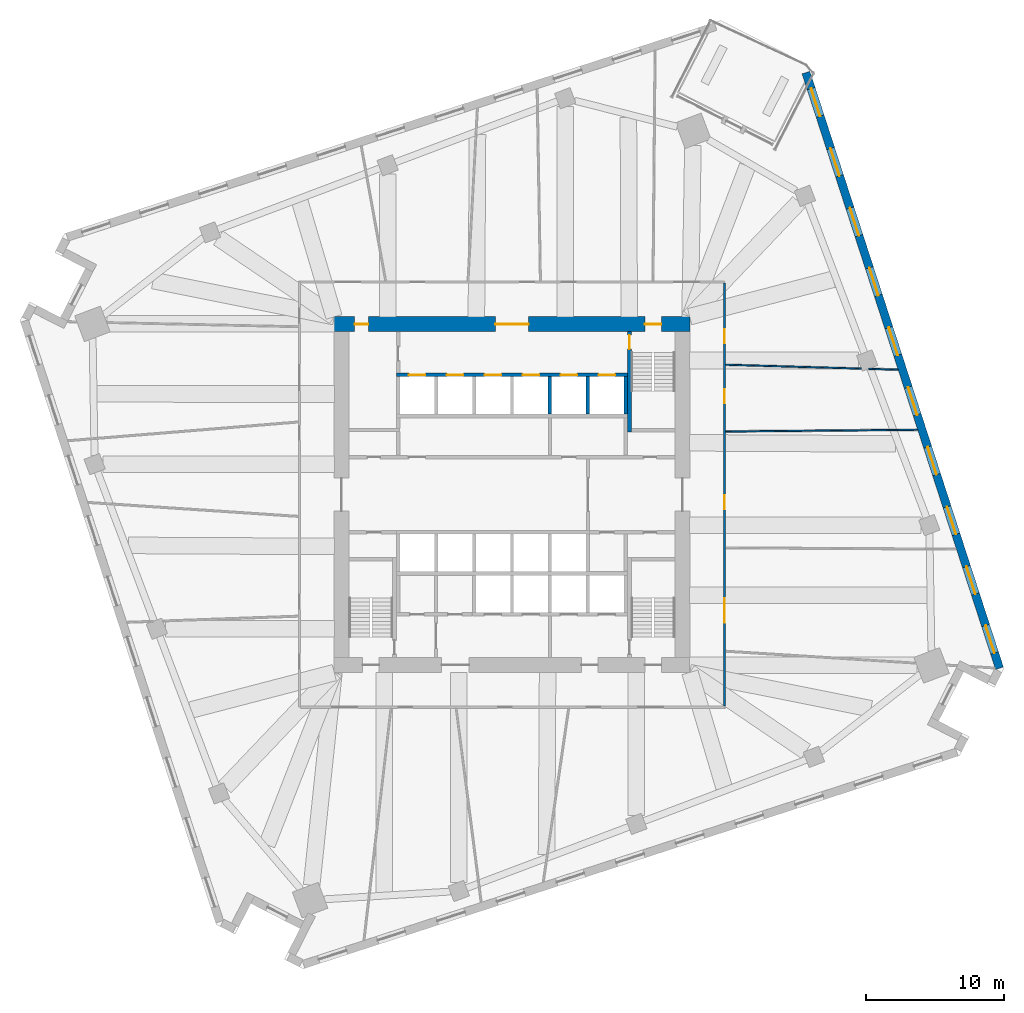
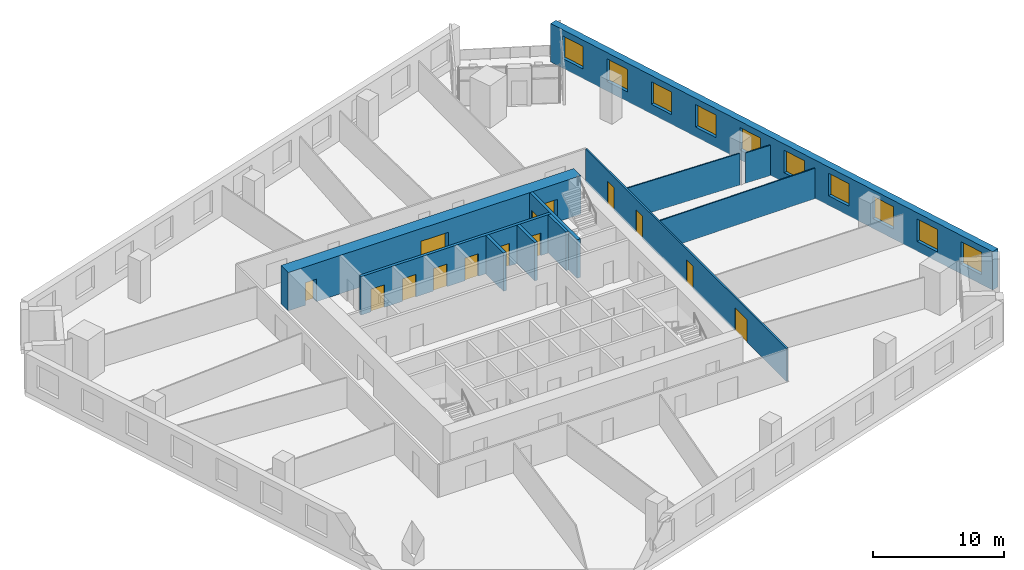
# One storey, part 9 of 12: 14 doors, 11 walls, 10 windows, 24 openings.
"""IFC4 building model written with IfcOpenShell, lengths in metres."""

from ifc_helpers import new_model, si_unit, direction, frame, frame_2d, origin, place, context, subcontext, project, spatial, rectangle, extrude, material, layer, layer_set, type_object, element, fill, save


model = new_model("IFC4")

# Units and contexts
model_context = context("Model", 3, precision=1e-05, world=origin(), true_north=direction((0.0, 1.0)))
body_context = subcontext(model_context, "Body", "Model", "MODEL_VIEW")
ifc_project = project(units=[si_unit("LENGTHUNIT", "METRE"), si_unit("AREAUNIT", "SQUARE_METRE"), si_unit("VOLUMEUNIT", "CUBIC_METRE"), si_unit("PLANEANGLEUNIT", "RADIAN"), si_unit("MASSUNIT", "GRAM", prefix="KILO")], contexts=[model_context])

# Site, building, storey
site_placement = place(None, origin())
site = spatial("IfcSite", under=ifc_project, at=site_placement, CompositionType="ELEMENT")
building_placement = place(site_placement, origin())
building = spatial("IfcBuilding", under=site, at=building_placement, Name="Dilmun Exchange Tower", CompositionType="ELEMENT")
storey_placement = place(building_placement, frame((0.0, 0.0, 94.10009765625)))
storey = spatial("IfcBuildingStorey", under=building, at=storey_placement, Name="L21", CompositionType="ELEMENT", Elevation=94.10009765625)

# Wall, openings, doors
ifc_material_1 = material(Name="Concrete C80/95", Category="concrete")
ifc_layer_1 = layer(ifc_material_1, 1.10009765625)
ifc_layer_set_1 = layer_set([ifc_layer_1], Name="Concrete C80/95")
wall_type_1 = type_object("IfcWallType", Name="Core shear wall 1100 Concrete C80/95", PredefinedType="SHEAR", material=ifc_layer_set_1)
wall_1_placement = place(storey_placement, frame((-12.89990234375, 12.35009765625, 0.0), z_axis=(0.0, 0.0, 1.0), x_axis=(1.0, 0.0, 0.0)))
wall_1 = element("IfcWall", 1, at=wall_1_placement, inside=storey, type_object=wall_type_1, Name="L21 core shear wall N", PredefinedType="SHEAR", context=body_context, shape_type="SweptSolid", body=[
    extrude(rectangle(XDim=25.7998046875, YDim=1.10009765625, at=frame_2d((12.89990234375, 0.0))), origin(), (0.0, 0.0, 1.0), 3.579833984375),
])
opening_1_placement = place(wall_1_placement, frame((11.699951171875, 0.0, 0.0)))
opening_1 = element("IfcOpeningElement", 2, at=opening_1_placement, cuts=wall_1, Name="Opening CD1", PredefinedType="OPENING", context=body_context, shape_type="SweptSolid", body=[
    extrude(rectangle(XDim=2.39990234375, YDim=2.39990234375, at=frame_2d((1.199951171875, 1.199951171875))), frame((0.0, 0.56005859375, 0.0), z_axis=(0.0, -1.0, 0.0), x_axis=(1.0, 0.0, 0.0)), (0.0, 0.0, 1.0), 1.1201171875),
])
opening_2_placement = place(wall_1_placement, frame((22.52490234375, 0.0, 0.0)))
opening_2 = element("IfcOpeningElement", 3, at=opening_2_placement, cuts=wall_1, Name="Opening CD3", PredefinedType="OPENING", context=body_context, shape_type="SweptSolid", body=[
    extrude(rectangle(XDim=1.199951171875, YDim=2.10009765625, at=frame_2d((0.60009765625, 1.050048828125))), frame((0.0, 0.56005859375, 0.0), z_axis=(0.0, -1.0, 0.0), x_axis=(1.0, 0.0, 0.0)), (0.0, 0.0, 1.0), 1.1201171875),
])
opening_3_placement = place(wall_1_placement, frame((1.5, 0.0, 0.0)))
opening_3 = element("IfcOpeningElement", 4, at=opening_3_placement, cuts=wall_1, Name="Opening CD4", PredefinedType="OPENING", context=body_context, shape_type="SweptSolid", body=[
    extrude(rectangle(XDim=1.0, YDim=2.10009765625, at=frame_2d((0.5, 1.050048828125))), frame((0.0, 0.56005859375, 0.0), z_axis=(0.0, -1.0, 0.0), x_axis=(1.0, 0.0, 0.0)), (0.0, 0.0, 1.0), 1.1201171875),
])
ifc_material_2 = material(Name="Fire-rated steel door set", Category="steel")
door_type_1 = type_object("IfcDoorType", Name="Core lobby door 2400x2400", OperationType="DOUBLE_DOOR_DOUBLE_SWING", PredefinedType="DOOR", material=ifc_material_2)
door_1_placement = place(opening_1_placement, origin())
door_1 = element("IfcDoor", 5, at=door_1_placement, inside=storey, type_object=door_type_1, Name="L21 door North lift lobby", OperationType="SINGLE_SWING_LEFT", OverallHeight=2.39990234375, OverallWidth=2.39990234375, PredefinedType="DOOR", context=body_context, shape_type="SweptSolid", body=[
    extrude(rectangle(XDim=2.39990234375, YDim=2.39990234375, at=frame_2d((1.199951171875, 1.199951171875))), frame((0.0, 0.02490234375, 0.0), z_axis=(0.0, -1.0, 0.0), x_axis=(1.0, 0.0, 0.0)), (0.0, 0.0, 1.0), 0.050048828125),
])
fill(opening_1, door_1)
door_type_2 = type_object("IfcDoorType", Name="Core room door 1000x2100", OperationType="SINGLE_SWING_LEFT", PredefinedType="DOOR", material=ifc_material_2)
door_2_placement = place(opening_3_placement, origin())
door_2 = element("IfcDoor", 6, at=door_2_placement, inside=storey, type_object=door_type_2, Name="L21 door North-west core rooms", OperationType="SINGLE_SWING_LEFT", OverallHeight=2.10009765625, OverallWidth=1.0, PredefinedType="DOOR", context=body_context, shape_type="SweptSolid", body=[
    extrude(rectangle(XDim=1.0, YDim=2.10009765625, at=frame_2d((0.5, 1.050048828125))), frame((0.0, 0.02490234375, 0.0), z_axis=(0.0, -1.0, 0.0), x_axis=(1.0, 0.0, 0.0)), (0.0, 0.0, 1.0), 0.050048828125),
])
fill(opening_3, door_2)
door_type_3 = type_object("IfcDoorType", Name="Stair exit door 1200x2100", OperationType="SINGLE_SWING_LEFT", PredefinedType="DOOR", material=ifc_material_2)
door_3_placement = place(opening_2_placement, origin())
door_3 = element("IfcDoor", 7, at=door_3_placement, inside=storey, type_object=door_type_3, Name="L21 door Stair ST1", OperationType="SINGLE_SWING_LEFT", OverallHeight=2.10009765625, OverallWidth=1.199951171875, PredefinedType="DOOR", context=body_context, shape_type="SweptSolid", body=[
    extrude(rectangle(XDim=1.199951171875, YDim=2.10009765625, at=frame_2d((0.60009765625, 1.050048828125))), frame((0.0, 0.02490234375, 0.0), z_axis=(0.0, -1.0, 0.0), x_axis=(1.0, 0.0, 0.0)), (0.0, 0.0, 1.0), 0.050048828125),
])
fill(opening_2, door_3)

ifc_material_3 = material(Name="Corridor wall 150")
ifc_layer_2 = layer(ifc_material_3, 0.14990234375)
ifc_layer_set_2 = layer_set([ifc_layer_2], Name="Corridor wall 150")
wall_type_2 = type_object("IfcWallType", Name="Corridor wall 150", PredefinedType="PARTITIONING", material=ifc_layer_set_2)
wall_2_placement = place(storey_placement, frame((15.39990234375, -15.324951171875, 0.0), z_axis=(0.0, 0.0, 1.0), x_axis=(0.0, 1.0, 0.0)))
wall_2 = element("IfcWall", 8, at=wall_2_placement, inside=storey, type_object=wall_type_2, Name="Corridor wall", PredefinedType="PARTITIONING", context=body_context, shape_type="SweptSolid", body=[
    extrude(rectangle(XDim=30.64990234375, YDim=0.14990234375, at=frame_2d((15.324951171875, 0.0))), origin(), (0.0, 0.0, 1.0), 3.079833984375),
])
opening_4_placement = place(wall_2_placement, frame((26.288330078125, 0.0, 0.0)))
opening_4 = element("IfcOpeningElement", 9, at=opening_4_placement, cuts=wall_2, Name="Opening TF20-D16", PredefinedType="OPENING", context=body_context, shape_type="SweptSolid", body=[
    extrude(rectangle(XDim=1.0, YDim=2.10009765625, at=frame_2d((0.5, 1.050048828125))), frame((0.0, 0.0849609375, 0.0), z_axis=(0.0, -1.0, 0.0), x_axis=(1.0, 0.0, 0.0)), (0.0, 0.0, 1.0), 0.169921875),
])
opening_5_placement = place(wall_2_placement, frame((21.94921875, 0.0, 0.0)))
opening_5 = element("IfcOpeningElement", 10, at=opening_5_placement, cuts=wall_2, Name="Opening TF20-D17", PredefinedType="OPENING", context=body_context, shape_type="SweptSolid", body=[
    extrude(rectangle(XDim=1.0, YDim=2.10009765625, at=frame_2d((0.5, 1.050048828125))), frame((0.0, 0.0849609375, 0.0), z_axis=(0.0, -1.0, 0.0), x_axis=(1.0, 0.0, 0.0)), (0.0, 0.0, 1.0), 0.169921875),
])
opening_6_placement = place(wall_2_placement, frame((14.269775390625, 0.0, 0.0)))
opening_6 = element("IfcOpeningElement", 11, at=opening_6_placement, cuts=wall_2, Name="Opening TF20-D18", PredefinedType="OPENING", context=body_context, shape_type="SweptSolid", body=[
    extrude(rectangle(XDim=1.0, YDim=2.10009765625, at=frame_2d((0.5, 1.050048828125))), frame((0.0, 0.0849609375, 0.0), z_axis=(0.0, -1.0, 0.0), x_axis=(1.0, 0.0, 0.0)), (0.0, 0.0, 1.0), 0.169921875),
])
opening_7_placement = place(wall_2_placement, frame((6.03759765625, 0.0, 0.0)))
opening_7 = element("IfcOpeningElement", 12, at=opening_7_placement, cuts=wall_2, Name="Opening TF20-D19", PredefinedType="OPENING", context=body_context, shape_type="SweptSolid", body=[
    extrude(rectangle(XDim=1.800048828125, YDim=2.10009765625, at=frame_2d((0.89990234375, 1.050048828125))), frame((0.0, 0.0849609375, 0.0), z_axis=(0.0, -1.0, 0.0), x_axis=(1.0, 0.0, 0.0)), (0.0, 0.0, 1.0), 0.169921875),
])
ifc_material_4 = material(Name="Fire door 1000 x 2100")
door_type_4 = type_object("IfcDoorType", Name="Fire door 1000 x 2100", OperationType="NOTDEFINED", PredefinedType="DOOR", material=ifc_material_4)
door_4_placement = place(opening_4_placement, frame((1.0, 0.0, 0.0), z_axis=(0.0, 0.0, 1.0), x_axis=(-1.0, 0.0, 0.0)))
door_4 = element("IfcDoor", 13, at=door_4_placement, inside=storey, type_object=door_type_4, Name="Door TF20-D16", OperationType="SINGLE_SWING_RIGHT", OverallHeight=2.10009765625, OverallWidth=1.0, PredefinedType="DOOR", context=body_context, shape_type="SweptSolid", body=[
    extrude(rectangle(XDim=1.0, YDim=2.10009765625, at=frame_2d((0.5, 1.050048828125))), frame((0.0, 0.02490234375, 0.0), z_axis=(0.0, -1.0, 0.0), x_axis=(1.0, 0.0, 0.0)), (0.0, 0.0, 1.0), 0.050048828125),
])
fill(opening_4, door_4)
door_5_placement = place(opening_5_placement, frame((1.0, 0.0, 0.0), z_axis=(0.0, 0.0, 1.0), x_axis=(-1.0, 0.0, 0.0)))
door_5 = element("IfcDoor", 14, at=door_5_placement, inside=storey, type_object=door_type_4, Name="Door TF20-D17", OperationType="SINGLE_SWING_RIGHT", OverallHeight=2.10009765625, OverallWidth=1.0, PredefinedType="DOOR", context=body_context, shape_type="SweptSolid", body=[
    extrude(rectangle(XDim=1.0, YDim=2.10009765625, at=frame_2d((0.5, 1.050048828125))), frame((0.0, 0.02490234375, 0.0), z_axis=(0.0, -1.0, 0.0), x_axis=(1.0, 0.0, 0.0)), (0.0, 0.0, 1.0), 0.050048828125),
])
fill(opening_5, door_5)
door_6_placement = place(opening_6_placement, frame((1.0, 0.0, 0.0), z_axis=(0.0, 0.0, 1.0), x_axis=(-1.0, 0.0, 0.0)))
door_6 = element("IfcDoor", 15, at=door_6_placement, inside=storey, type_object=door_type_4, Name="Door TF20-D18", OperationType="SINGLE_SWING_RIGHT", OverallHeight=2.10009765625, OverallWidth=1.0, PredefinedType="DOOR", context=body_context, shape_type="SweptSolid", body=[
    extrude(rectangle(XDim=1.0, YDim=2.10009765625, at=frame_2d((0.5, 1.050048828125))), frame((0.0, 0.02490234375, 0.0), z_axis=(0.0, -1.0, 0.0), x_axis=(1.0, 0.0, 0.0)), (0.0, 0.0, 1.0), 0.050048828125),
])
fill(opening_6, door_6)
ifc_material_5 = material(Name="Fire door pair 1800 x 2100")
door_type_5 = type_object("IfcDoorType", Name="Fire door pair 1800 x 2100", OperationType="NOTDEFINED", PredefinedType="DOOR", material=ifc_material_5)
door_7_placement = place(opening_7_placement, frame((1.800048828125, 0.0, 0.0), z_axis=(0.0, 0.0, 1.0), x_axis=(-1.0, 0.0, 0.0)))
door_7 = element("IfcDoor", 16, at=door_7_placement, inside=storey, type_object=door_type_5, Name="Door TF20-D19", OperationType="DOUBLE_DOOR_SINGLE_SWING", OverallHeight=2.10009765625, OverallWidth=1.800048828125, PredefinedType="DOOR", context=body_context, shape_type="SweptSolid", body=[
    extrude(rectangle(XDim=1.800048828125, YDim=2.10009765625, at=frame_2d((0.89990234375, 1.050048828125))), frame((0.0, 0.02490234375, 0.0), z_axis=(0.0, -1.0, 0.0), x_axis=(1.0, 0.0, 0.0)), (0.0, 0.0, 1.0), 0.050048828125),
])
fill(opening_7, door_7)

ifc_material_6 = material(Name="Concrete C40/50", Category="concrete")
ifc_layer_3 = layer(ifc_material_6, 0.25)
ifc_layer_set_3 = layer_set([ifc_layer_3], Name="Concrete C40/50")
wall_type_3 = type_object("IfcWallType", Name="Lift shaft wall 250", PredefinedType="SOLIDWALL", material=ifc_layer_set_3)
wall_3_placement = place(storey_placement, frame((-8.375, 8.675048828125, 0.0), z_axis=(0.0, 0.0, 1.0), x_axis=(1.0, 0.0, 0.0)))
wall_3 = element("IfcWall", 17, at=wall_3_placement, inside=storey, type_object=wall_type_3, Name="L21 lift shaft front wall N2", PredefinedType="SOLIDWALL", context=body_context, shape_type="SweptSolid", body=[
    extrude(rectangle(XDim=16.75, YDim=0.25, at=frame_2d((8.375, 0.0))), origin(), (0.0, 0.0, 1.0), 3.579833984375),
])
opening_8_placement = place(wall_3_placement, frame((0.89990234375, 0.0, 0.0)))
opening_8 = element("IfcOpeningElement", 18, at=opening_8_placement, cuts=wall_3, Name="Opening LD", PredefinedType="OPENING", context=body_context, shape_type="SweptSolid", body=[
    extrude(rectangle(XDim=1.199951171875, YDim=2.10009765625, at=frame_2d((0.60009765625, 1.050048828125))), frame((0.0, 0.135009765625, 0.0), z_axis=(0.0, -1.0, 0.0), x_axis=(1.0, 0.0, 0.0)), (0.0, 0.0, 1.0), 0.27001953125),
])
opening_9_placement = place(wall_3_placement, frame((3.64990234375, 0.0, 0.0)))
opening_9 = element("IfcOpeningElement", 19, at=opening_9_placement, cuts=wall_3, Name="Opening LD", PredefinedType="OPENING", context=body_context, shape_type="SweptSolid", body=[
    extrude(rectangle(XDim=1.199951171875, YDim=2.10009765625, at=frame_2d((0.60009765625, 1.050048828125))), frame((0.0, 0.135009765625, 0.0), z_axis=(0.0, -1.0, 0.0), x_axis=(1.0, 0.0, 0.0)), (0.0, 0.0, 1.0), 0.27001953125),
])
opening_10_placement = place(wall_3_placement, frame((6.39990234375, 0.0, 0.0)))
opening_10 = element("IfcOpeningElement", 20, at=opening_10_placement, cuts=wall_3, Name="Opening LD", PredefinedType="OPENING", context=body_context, shape_type="SweptSolid", body=[
    extrude(rectangle(XDim=1.199951171875, YDim=2.10009765625, at=frame_2d((0.60009765625, 1.050048828125))), frame((0.0, 0.135009765625, 0.0), z_axis=(0.0, -1.0, 0.0), x_axis=(1.0, 0.0, 0.0)), (0.0, 0.0, 1.0), 0.27001953125),
])
opening_11_placement = place(wall_3_placement, frame((9.14990234375, 0.0, 0.0)))
opening_11 = element("IfcOpeningElement", 21, at=opening_11_placement, cuts=wall_3, Name="Opening LD", PredefinedType="OPENING", context=body_context, shape_type="SweptSolid", body=[
    extrude(rectangle(XDim=1.199951171875, YDim=2.10009765625, at=frame_2d((0.60009765625, 1.050048828125))), frame((0.0, 0.135009765625, 0.0), z_axis=(0.0, -1.0, 0.0), x_axis=(1.0, 0.0, 0.0)), (0.0, 0.0, 1.0), 0.27001953125),
])
opening_12_placement = place(wall_3_placement, frame((11.89990234375, 0.0, 0.0)))
opening_12 = element("IfcOpeningElement", 22, at=opening_12_placement, cuts=wall_3, Name="Opening LD", PredefinedType="OPENING", context=body_context, shape_type="SweptSolid", body=[
    extrude(rectangle(XDim=1.199951171875, YDim=2.10009765625, at=frame_2d((0.60009765625, 1.050048828125))), frame((0.0, 0.135009765625, 0.0), z_axis=(0.0, -1.0, 0.0), x_axis=(1.0, 0.0, 0.0)), (0.0, 0.0, 1.0), 0.27001953125),
])
opening_13_placement = place(wall_3_placement, frame((14.64990234375, 0.0, 0.0)))
opening_13 = element("IfcOpeningElement", 23, at=opening_13_placement, cuts=wall_3, Name="Opening LD", PredefinedType="OPENING", context=body_context, shape_type="SweptSolid", body=[
    extrude(rectangle(XDim=1.199951171875, YDim=2.10009765625, at=frame_2d((0.60009765625, 1.050048828125))), frame((0.0, 0.135009765625, 0.0), z_axis=(0.0, -1.0, 0.0), x_axis=(1.0, 0.0, 0.0)), (0.0, 0.0, 1.0), 0.27001953125),
])
door_type_6 = type_object("IfcDoorType", Name="Lift landing door 1200x2100", OperationType="DOUBLE_DOOR_SLIDING", PredefinedType="DOOR", material=ifc_material_2)
door_8_placement = place(opening_8_placement, origin())
door_8 = element("IfcDoor", 24, at=door_8_placement, inside=storey, type_object=door_type_6, Name="L21 landing door LR1", OperationType="DOUBLE_DOOR_SLIDING", OverallHeight=2.10009765625, OverallWidth=1.199951171875, PredefinedType="DOOR", context=body_context, shape_type="SweptSolid", body=[
    extrude(rectangle(XDim=1.199951171875, YDim=2.10009765625, at=frame_2d((0.60009765625, 1.050048828125))), frame((0.0, 0.02490234375, 0.0), z_axis=(0.0, -1.0, 0.0), x_axis=(1.0, 0.0, 0.0)), (0.0, 0.0, 1.0), 0.050048828125),
])
fill(opening_8, door_8)
door_9_placement = place(opening_9_placement, origin())
door_9 = element("IfcDoor", 25, at=door_9_placement, inside=storey, type_object=door_type_6, Name="L21 landing door LR2", OperationType="DOUBLE_DOOR_SLIDING", OverallHeight=2.10009765625, OverallWidth=1.199951171875, PredefinedType="DOOR", context=body_context, shape_type="SweptSolid", body=[
    extrude(rectangle(XDim=1.199951171875, YDim=2.10009765625, at=frame_2d((0.60009765625, 1.050048828125))), frame((0.0, 0.02490234375, 0.0), z_axis=(0.0, -1.0, 0.0), x_axis=(1.0, 0.0, 0.0)), (0.0, 0.0, 1.0), 0.050048828125),
])
fill(opening_9, door_9)
door_10_placement = place(opening_10_placement, origin())
door_10 = element("IfcDoor", 26, at=door_10_placement, inside=storey, type_object=door_type_6, Name="L21 landing door LR3", OperationType="DOUBLE_DOOR_SLIDING", OverallHeight=2.10009765625, OverallWidth=1.199951171875, PredefinedType="DOOR", context=body_context, shape_type="SweptSolid", body=[
    extrude(rectangle(XDim=1.199951171875, YDim=2.10009765625, at=frame_2d((0.60009765625, 1.050048828125))), frame((0.0, 0.02490234375, 0.0), z_axis=(0.0, -1.0, 0.0), x_axis=(1.0, 0.0, 0.0)), (0.0, 0.0, 1.0), 0.050048828125),
])
fill(opening_10, door_10)
door_11_placement = place(opening_11_placement, origin())
door_11 = element("IfcDoor", 27, at=door_11_placement, inside=storey, type_object=door_type_6, Name="L21 landing door LR4", OperationType="DOUBLE_DOOR_SLIDING", OverallHeight=2.10009765625, OverallWidth=1.199951171875, PredefinedType="DOOR", context=body_context, shape_type="SweptSolid", body=[
    extrude(rectangle(XDim=1.199951171875, YDim=2.10009765625, at=frame_2d((0.60009765625, 1.050048828125))), frame((0.0, 0.02490234375, 0.0), z_axis=(0.0, -1.0, 0.0), x_axis=(1.0, 0.0, 0.0)), (0.0, 0.0, 1.0), 0.050048828125),
])
fill(opening_11, door_11)
door_12_placement = place(opening_12_placement, origin())
door_12 = element("IfcDoor", 28, at=door_12_placement, inside=storey, type_object=door_type_6, Name="L21 landing door LR5", OperationType="DOUBLE_DOOR_SLIDING", OverallHeight=2.10009765625, OverallWidth=1.199951171875, PredefinedType="DOOR", context=body_context, shape_type="SweptSolid", body=[
    extrude(rectangle(XDim=1.199951171875, YDim=2.10009765625, at=frame_2d((0.60009765625, 1.050048828125))), frame((0.0, 0.02490234375, 0.0), z_axis=(0.0, -1.0, 0.0), x_axis=(1.0, 0.0, 0.0)), (0.0, 0.0, 1.0), 0.050048828125),
])
fill(opening_12, door_12)
door_13_placement = place(opening_13_placement, origin())
door_13 = element("IfcDoor", 29, at=door_13_placement, inside=storey, type_object=door_type_6, Name="L21 landing door LR6", OperationType="DOUBLE_DOOR_SLIDING", OverallHeight=2.10009765625, OverallWidth=1.199951171875, PredefinedType="DOOR", context=body_context, shape_type="SweptSolid", body=[
    extrude(rectangle(XDim=1.199951171875, YDim=2.10009765625, at=frame_2d((0.60009765625, 1.050048828125))), frame((0.0, 0.02490234375, 0.0), z_axis=(0.0, -1.0, 0.0), x_axis=(1.0, 0.0, 0.0)), (0.0, 0.0, 1.0), 0.050048828125),
])
fill(opening_13, door_13)

# Walls
for number, where, z_axis, x_axis, name in (
    (30, (2.75, 5.85009765625, 0.0), (0.0, 0.0, 1.0), (0.0, 1.0, 0.0), "L21 lift shaft divider N24"),
    (31, (5.5, 5.85009765625, 0.0), (0.0, 0.0, 1.0), (0.0, 1.0, 0.0), "L21 lift shaft divider N25"),
    (32, (8.25, 5.85009765625, 0.0), (0.0, 0.0, 1.0), (0.0, 1.0, 0.0), "L21 lift shaft divider N26"),
):
    element("IfcWall", number, at=place(storey_placement, frame(where, z_axis=z_axis, x_axis=x_axis)), inside=storey, type_object=wall_type_3, Name=name, PredefinedType="SOLIDWALL", context=body_context, shape_type="SweptSolid", body=[
        extrude(rectangle(XDim=2.699951171875, YDim=0.25, at=frame_2d((1.35009765625, 0.0))), origin(), (0.0, 0.0, 1.0), 3.579833984375),
    ])
ifc_material_7 = material(Name="Partition 100")
ifc_layer_4 = layer(ifc_material_7, 0.10009765625)
ifc_layer_set_4 = layer_set([ifc_layer_4], Name="Partition 100")
wall_type_4 = type_object("IfcWallType", Name="Partition 100", PredefinedType="PARTITIONING", material=ifc_layer_set_4)
wall_4_placement = place(storey_placement, frame((15.475341796875, 4.57470703125, 0.0), z_axis=(0.0, 0.0, 1.0), x_axis=(0.99995993254, 0.008951721355, 0.0)))
element("IfcWall", 33, at=wall_4_placement, inside=storey, type_object=wall_type_4, Name="Partition", PredefinedType="PARTITIONING", context=body_context, shape_type="SweptSolid", body=[
    extrude(rectangle(XDim=13.9091796875, YDim=0.10009765625, at=frame_2d((6.95458984375, 0.0))), origin(), (0.0, 0.0, 1.0), 2.829833984375),
])
wall_5_placement = place(storey_placement, frame((15.476318359375, 9.411865234375, 0.0), z_axis=(0.0, 0.0, 1.0), x_axis=(0.999583865111, -0.028846084817, 0.0)))
element("IfcWall", 34, at=wall_5_placement, inside=storey, type_object=wall_type_4, Name="Partition", PredefinedType="PARTITIONING", context=body_context, shape_type="SweptSolid", body=[
    extrude(rectangle(XDim=9.834716796875, YDim=0.10009765625, at=frame_2d((4.91748046875, 0.0))), origin(), (0.0, 0.0, 1.0), 2.9599609375),
])
wall_6_placement = place(storey_placement, frame((25.82568359375, 9.11328125, 0.0), z_axis=(0.0, 0.0, 1.0), x_axis=(0.999585375356, -0.028793703742, 0.0)))
element("IfcWall", 35, at=wall_6_placement, inside=storey, type_object=wall_type_4, Name="Partition", PredefinedType="PARTITIONING", context=body_context, shape_type="SweptSolid", body=[
    extrude(rectangle(XDim=2.145263671875, YDim=0.10009765625, at=frame_2d((1.07275390625, 0.0))), origin(), (0.0, 0.0, 1.0), 2.829833984375),
])

# Wall, openings, windows
ifc_material_8 = material(Name="Precast concrete C50/60", Category="concrete")
ifc_layer_5 = layer(ifc_material_8, 0.60009765625)
ifc_layer_set_5 = layer_set([ifc_layer_5], Name="Precast concrete C50/60")
wall_type_5 = type_object("IfcWallType", Name="Precast stone-clad wall 600", PredefinedType="STANDARD", material=ifc_layer_set_5)
wall_7_placement = place(storey_placement, frame((35.3154296875, -12.578369140625, 0.0), z_axis=(0.0, 0.0, 1.0), x_axis=(-0.30901806374, 0.951056168837, 0.0)))
wall_7 = element("IfcWall", 36, at=wall_7_placement, inside=storey, type_object=wall_type_5, Name="Facade wall L21-21", PredefinedType="STANDARD", context=body_context, shape_type="SweptSolid", body=[
    extrude(rectangle(XDim=45.3759765625, YDim=0.60009765625, at=frame_2d((22.68798828125, 0.0))), origin(), (0.0, 0.0, 1.0), 3.579833984375),
])
opening_14_placement = place(wall_7_placement, frame((1.162841796875, 0.0, 0.89990234375)))
opening_14 = element("IfcOpeningElement", 37, at=opening_14_placement, cuts=wall_7, Name="Opening W210-210", PredefinedType="OPENING", context=body_context, shape_type="SweptSolid", body=[
    extrude(rectangle(XDim=2.10009765625, YDim=2.10009765625, at=frame_2d((1.050048828125, 1.050048828125))), frame((0.0, 0.31005859375, 0.0), z_axis=(0.0, -1.0, 0.0), x_axis=(1.0, 0.0, 0.0)), (0.0, 0.0, 1.0), 0.6201171875),
])
opening_15_placement = place(wall_7_placement, frame((5.650634765625, 0.0, 0.89990234375)))
opening_15 = element("IfcOpeningElement", 38, at=opening_15_placement, cuts=wall_7, Name="Opening W210-210", PredefinedType="OPENING", context=body_context, shape_type="SweptSolid", body=[
    extrude(rectangle(XDim=2.10009765625, YDim=2.10009765625, at=frame_2d((1.050048828125, 1.050048828125))), frame((0.0, 0.31005859375, 0.0), z_axis=(0.0, -1.0, 0.0), x_axis=(1.0, 0.0, 0.0)), (0.0, 0.0, 1.0), 0.6201171875),
])
opening_16_placement = place(wall_7_placement, frame((10.20068359375, 0.0, 0.89990234375)))
opening_16 = element("IfcOpeningElement", 39, at=opening_16_placement, cuts=wall_7, Name="Opening W210-210", PredefinedType="OPENING", context=body_context, shape_type="SweptSolid", body=[
    extrude(rectangle(XDim=2.10009765625, YDim=2.10009765625, at=frame_2d((1.050048828125, 1.050048828125))), frame((0.0, 0.31005859375, 0.0), z_axis=(0.0, -1.0, 0.0), x_axis=(1.0, 0.0, 0.0)), (0.0, 0.0, 1.0), 0.6201171875),
])
opening_17_placement = place(wall_7_placement, frame((14.750732421875, 0.0, 0.89990234375)))
opening_17 = element("IfcOpeningElement", 40, at=opening_17_placement, cuts=wall_7, Name="Opening W210-210", PredefinedType="OPENING", context=body_context, shape_type="SweptSolid", body=[
    extrude(rectangle(XDim=2.10009765625, YDim=2.10009765625, at=frame_2d((1.050048828125, 1.050048828125))), frame((0.0, 0.31005859375, 0.0), z_axis=(0.0, -1.0, 0.0), x_axis=(1.0, 0.0, 0.0)), (0.0, 0.0, 1.0), 0.6201171875),
])
opening_18_placement = place(wall_7_placement, frame((19.30078125, 0.0, 0.89990234375)))
opening_18 = element("IfcOpeningElement", 41, at=opening_18_placement, cuts=wall_7, Name="Opening W210-210", PredefinedType="OPENING", context=body_context, shape_type="SweptSolid", body=[
    extrude(rectangle(XDim=2.10009765625, YDim=2.10009765625, at=frame_2d((1.050048828125, 1.050048828125))), frame((0.0, 0.31005859375, 0.0), z_axis=(0.0, -1.0, 0.0), x_axis=(1.0, 0.0, 0.0)), (0.0, 0.0, 1.0), 0.6201171875),
])
opening_19_placement = place(wall_7_placement, frame((23.8505859375, 0.0, 0.89990234375)))
opening_19 = element("IfcOpeningElement", 42, at=opening_19_placement, cuts=wall_7, Name="Opening W210-210", PredefinedType="OPENING", context=body_context, shape_type="SweptSolid", body=[
    extrude(rectangle(XDim=2.10009765625, YDim=2.10009765625, at=frame_2d((1.050048828125, 1.050048828125))), frame((0.0, 0.31005859375, 0.0), z_axis=(0.0, -1.0, 0.0), x_axis=(1.0, 0.0, 0.0)), (0.0, 0.0, 1.0), 0.6201171875),
])
opening_20_placement = place(wall_7_placement, frame((28.400634765625, 0.0, 0.89990234375)))
opening_20 = element("IfcOpeningElement", 43, at=opening_20_placement, cuts=wall_7, Name="Opening W210-210", PredefinedType="OPENING", context=body_context, shape_type="SweptSolid", body=[
    extrude(rectangle(XDim=2.10009765625, YDim=2.10009765625, at=frame_2d((1.050048828125, 1.050048828125))), frame((0.0, 0.31005859375, 0.0), z_axis=(0.0, -1.0, 0.0), x_axis=(1.0, 0.0, 0.0)), (0.0, 0.0, 1.0), 0.6201171875),
])
opening_21_placement = place(wall_7_placement, frame((32.95068359375, 0.0, 0.89990234375)))
opening_21 = element("IfcOpeningElement", 44, at=opening_21_placement, cuts=wall_7, Name="Opening W210-210", PredefinedType="OPENING", context=body_context, shape_type="SweptSolid", body=[
    extrude(rectangle(XDim=2.10009765625, YDim=2.10009765625, at=frame_2d((1.050048828125, 1.050048828125))), frame((0.0, 0.31005859375, 0.0), z_axis=(0.0, -1.0, 0.0), x_axis=(1.0, 0.0, 0.0)), (0.0, 0.0, 1.0), 0.6201171875),
])
opening_22_placement = place(wall_7_placement, frame((37.500732421875, 0.0, 0.89990234375)))
opening_22 = element("IfcOpeningElement", 45, at=opening_22_placement, cuts=wall_7, Name="Opening W210-210", PredefinedType="OPENING", context=body_context, shape_type="SweptSolid", body=[
    extrude(rectangle(XDim=2.10009765625, YDim=2.10009765625, at=frame_2d((1.050048828125, 1.050048828125))), frame((0.0, 0.31005859375, 0.0), z_axis=(0.0, -1.0, 0.0), x_axis=(1.0, 0.0, 0.0)), (0.0, 0.0, 1.0), 0.6201171875),
])
opening_23_placement = place(wall_7_placement, frame((42.05078125, 0.0, 0.89990234375)))
opening_23 = element("IfcOpeningElement", 46, at=opening_23_placement, cuts=wall_7, Name="Opening W210-210", PredefinedType="OPENING", context=body_context, shape_type="SweptSolid", body=[
    extrude(rectangle(XDim=2.10009765625, YDim=2.10009765625, at=frame_2d((1.050048828125, 1.050048828125))), frame((0.0, 0.31005859375, 0.0), z_axis=(0.0, -1.0, 0.0), x_axis=(1.0, 0.0, 0.0)), (0.0, 0.0, 1.0), 0.6201171875),
])
ifc_material_9 = material(Name="Clear low-emissivity glass in aluminium frame", Category="aluminium")
window_type = type_object("IfcWindowType", Name="Punched window 2100 x 2100", PartitioningType="DOUBLE_PANEL_VERTICAL", PredefinedType="WINDOW", material=ifc_material_9)
window_1_placement = place(opening_14_placement, origin())
window_1 = element("IfcWindow", 47, at=window_1_placement, inside=storey, type_object=window_type, Name="Window 22.1", OverallHeight=2.10009765625, OverallWidth=2.10009765625, PartitioningType="SINGLE_PANEL", PredefinedType="WINDOW", context=body_context, shape_type="SweptSolid", body=[
    extrude(rectangle(XDim=2.10009765625, YDim=2.10009765625, at=frame_2d((1.050048828125, 1.050048828125))), frame((0.0, 0.030029296875, 0.0), z_axis=(0.0, -1.0, 0.0), x_axis=(1.0, 0.0, 0.0)), (0.0, 0.0, 1.0), 0.06005859375),
])
fill(opening_14, window_1)
window_2_placement = place(opening_15_placement, origin())
window_2 = element("IfcWindow", 48, at=window_2_placement, inside=storey, type_object=window_type, Name="Window 22.2", OverallHeight=2.10009765625, OverallWidth=2.10009765625, PartitioningType="SINGLE_PANEL", PredefinedType="WINDOW", context=body_context, shape_type="SweptSolid", body=[
    extrude(rectangle(XDim=2.10009765625, YDim=2.10009765625, at=frame_2d((1.050048828125, 1.050048828125))), frame((0.0, 0.030029296875, 0.0), z_axis=(0.0, -1.0, 0.0), x_axis=(1.0, 0.0, 0.0)), (0.0, 0.0, 1.0), 0.06005859375),
])
fill(opening_15, window_2)
window_3_placement = place(opening_16_placement, origin())
window_3 = element("IfcWindow", 49, at=window_3_placement, inside=storey, type_object=window_type, Name="Window 22.3", OverallHeight=2.10009765625, OverallWidth=2.10009765625, PartitioningType="SINGLE_PANEL", PredefinedType="WINDOW", context=body_context, shape_type="SweptSolid", body=[
    extrude(rectangle(XDim=2.10009765625, YDim=2.10009765625, at=frame_2d((1.050048828125, 1.050048828125))), frame((0.0, 0.030029296875, 0.0), z_axis=(0.0, -1.0, 0.0), x_axis=(1.0, 0.0, 0.0)), (0.0, 0.0, 1.0), 0.06005859375),
])
fill(opening_16, window_3)
window_4_placement = place(opening_17_placement, origin())
window_4 = element("IfcWindow", 50, at=window_4_placement, inside=storey, type_object=window_type, Name="Window 22.4", OverallHeight=2.10009765625, OverallWidth=2.10009765625, PartitioningType="SINGLE_PANEL", PredefinedType="WINDOW", context=body_context, shape_type="SweptSolid", body=[
    extrude(rectangle(XDim=2.10009765625, YDim=2.10009765625, at=frame_2d((1.050048828125, 1.050048828125))), frame((0.0, 0.030029296875, 0.0), z_axis=(0.0, -1.0, 0.0), x_axis=(1.0, 0.0, 0.0)), (0.0, 0.0, 1.0), 0.06005859375),
])
fill(opening_17, window_4)
window_5_placement = place(opening_18_placement, origin())
window_5 = element("IfcWindow", 51, at=window_5_placement, inside=storey, type_object=window_type, Name="Window 22.5", OverallHeight=2.10009765625, OverallWidth=2.10009765625, PartitioningType="SINGLE_PANEL", PredefinedType="WINDOW", context=body_context, shape_type="SweptSolid", body=[
    extrude(rectangle(XDim=2.10009765625, YDim=2.10009765625, at=frame_2d((1.050048828125, 1.050048828125))), frame((0.0, 0.030029296875, 0.0), z_axis=(0.0, -1.0, 0.0), x_axis=(1.0, 0.0, 0.0)), (0.0, 0.0, 1.0), 0.06005859375),
])
fill(opening_18, window_5)
window_6_placement = place(opening_19_placement, origin())
window_6 = element("IfcWindow", 52, at=window_6_placement, inside=storey, type_object=window_type, Name="Window 22.6", OverallHeight=2.10009765625, OverallWidth=2.10009765625, PartitioningType="SINGLE_PANEL", PredefinedType="WINDOW", context=body_context, shape_type="SweptSolid", body=[
    extrude(rectangle(XDim=2.10009765625, YDim=2.10009765625, at=frame_2d((1.050048828125, 1.050048828125))), frame((0.0, 0.030029296875, 0.0), z_axis=(0.0, -1.0, 0.0), x_axis=(1.0, 0.0, 0.0)), (0.0, 0.0, 1.0), 0.06005859375),
])
fill(opening_19, window_6)
window_7_placement = place(opening_20_placement, origin())
window_7 = element("IfcWindow", 53, at=window_7_placement, inside=storey, type_object=window_type, Name="Window 22.7", OverallHeight=2.10009765625, OverallWidth=2.10009765625, PartitioningType="SINGLE_PANEL", PredefinedType="WINDOW", context=body_context, shape_type="SweptSolid", body=[
    extrude(rectangle(XDim=2.10009765625, YDim=2.10009765625, at=frame_2d((1.050048828125, 1.050048828125))), frame((0.0, 0.030029296875, 0.0), z_axis=(0.0, -1.0, 0.0), x_axis=(1.0, 0.0, 0.0)), (0.0, 0.0, 1.0), 0.06005859375),
])
fill(opening_20, window_7)
window_8_placement = place(opening_21_placement, origin())
window_8 = element("IfcWindow", 54, at=window_8_placement, inside=storey, type_object=window_type, Name="Window 22.8", OverallHeight=2.10009765625, OverallWidth=2.10009765625, PartitioningType="SINGLE_PANEL", PredefinedType="WINDOW", context=body_context, shape_type="SweptSolid", body=[
    extrude(rectangle(XDim=2.10009765625, YDim=2.10009765625, at=frame_2d((1.050048828125, 1.050048828125))), frame((0.0, 0.030029296875, 0.0), z_axis=(0.0, -1.0, 0.0), x_axis=(1.0, 0.0, 0.0)), (0.0, 0.0, 1.0), 0.06005859375),
])
fill(opening_21, window_8)
window_9_placement = place(opening_22_placement, origin())
window_9 = element("IfcWindow", 55, at=window_9_placement, inside=storey, type_object=window_type, Name="Window 22.9", OverallHeight=2.10009765625, OverallWidth=2.10009765625, PartitioningType="SINGLE_PANEL", PredefinedType="WINDOW", context=body_context, shape_type="SweptSolid", body=[
    extrude(rectangle(XDim=2.10009765625, YDim=2.10009765625, at=frame_2d((1.050048828125, 1.050048828125))), frame((0.0, 0.030029296875, 0.0), z_axis=(0.0, -1.0, 0.0), x_axis=(1.0, 0.0, 0.0)), (0.0, 0.0, 1.0), 0.06005859375),
])
fill(opening_22, window_9)
window_10_placement = place(opening_23_placement, origin())
window_10 = element("IfcWindow", 56, at=window_10_placement, inside=storey, type_object=window_type, Name="Window 22.10", OverallHeight=2.10009765625, OverallWidth=2.10009765625, PartitioningType="SINGLE_PANEL", PredefinedType="WINDOW", context=body_context, shape_type="SweptSolid", body=[
    extrude(rectangle(XDim=2.10009765625, YDim=2.10009765625, at=frame_2d((1.050048828125, 1.050048828125))), frame((0.0, 0.030029296875, 0.0), z_axis=(0.0, -1.0, 0.0), x_axis=(1.0, 0.0, 0.0)), (0.0, 0.0, 1.0), 0.06005859375),
])
fill(opening_23, window_10)

# Wall, opening, door
ifc_layer_6 = layer(ifc_material_6, 0.27490234375)
ifc_layer_set_6 = layer_set([ifc_layer_6], Name="Concrete C40/50")
wall_type_6 = type_object("IfcWallType", Name="Stair wall 275", PredefinedType="SOLIDWALL", material=ifc_layer_set_6)
wall_8_placement = place(storey_placement, frame((8.512451171875, 4.550048828125, 0.0), z_axis=(0.0, 0.0, 1.0), x_axis=(0.0, 1.0, 0.0)))
wall_8 = element("IfcWall", 57, at=wall_8_placement, inside=storey, type_object=wall_type_6, Name="L21 ST1 wall to lift block", PredefinedType="SOLIDWALL", context=body_context, shape_type="SweptSolid", body=[
    extrude(rectangle(XDim=7.25, YDim=0.27490234375, at=frame_2d((3.625, 0.0))), origin(), (0.0, 0.0, 1.0), 3.579833984375),
])
opening_24_placement = place(wall_8_placement, frame((6.0, 0.0, 0.0)))
opening_24 = element("IfcOpeningElement", 58, at=opening_24_placement, cuts=wall_8, Name="Opening CD4", PredefinedType="OPENING", context=body_context, shape_type="SweptSolid", body=[
    extrude(rectangle(XDim=1.0, YDim=2.10009765625, at=frame_2d((0.5, 1.050048828125))), frame((0.0, 0.1474609375, 0.0), z_axis=(0.0, -1.0, 0.0), x_axis=(1.0, 0.0, 0.0)), (0.0, 0.0, 1.0), 0.294921875),
])
door_14_placement = place(opening_24_placement, origin())
door_14 = element("IfcDoor", 59, at=door_14_placement, inside=storey, type_object=door_type_2, Name="L21 door ST1 from lobby", OperationType="SINGLE_SWING_LEFT", OverallHeight=2.10009765625, OverallWidth=1.0, PredefinedType="DOOR", context=body_context, shape_type="SweptSolid", body=[
    extrude(rectangle(XDim=1.0, YDim=2.10009765625, at=frame_2d((0.5, 1.050048828125))), frame((0.0, 0.02490234375, 0.0), z_axis=(0.0, -1.0, 0.0), x_axis=(1.0, 0.0, 0.0)), (0.0, 0.0, 1.0), 0.050048828125),
])
fill(opening_24, door_14)

save(model, "model.ifc")
